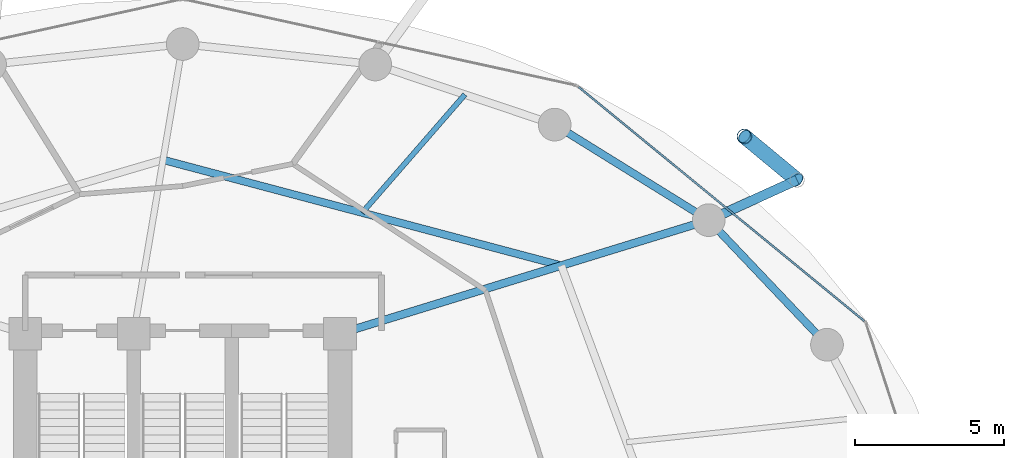
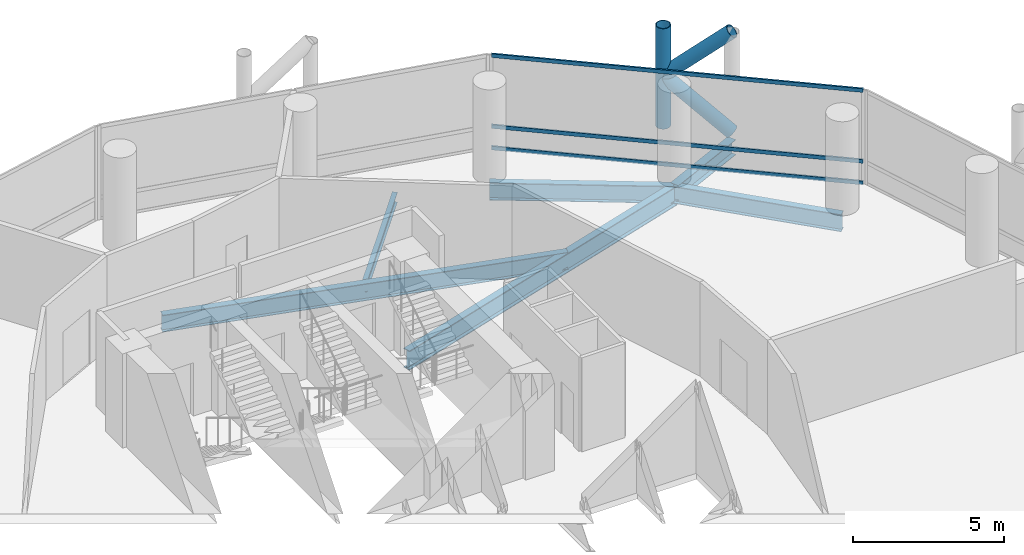
# One storey, part 17 of 24: 6 beams, 6 members, 1 element without a shape of its own.
"""IFC4 building model written with IfcOpenShell, lengths in metres."""

from ifc_helpers import new_model, si_unit, direction, frame, origin, origin_2d, place, context, subcontext, project, spatial, hollow_rectangle, hollow_circle, i_section, extrude, material, layer, layer_set, material_profile, profile_set, type_object, element, aggregate, save


model = new_model("IFC4")

# Units and contexts
model_context = context("Model", 3, precision=1e-05, world=origin(), true_north=direction((0.0, 1.0)))
body_context = subcontext(model_context, "Body", "Model", "MODEL_VIEW")
ifc_project = project(units=[si_unit("LENGTHUNIT", "METRE"), si_unit("AREAUNIT", "SQUARE_METRE"), si_unit("VOLUMEUNIT", "CUBIC_METRE"), si_unit("PLANEANGLEUNIT", "RADIAN"), si_unit("MASSUNIT", "GRAM", prefix="KILO")], contexts=[model_context])

# Site, building, storey
site_placement = place(None, origin())
site = spatial("IfcSite", under=ifc_project, at=site_placement, CompositionType="ELEMENT")
building_placement = place(site_placement, origin())
building = spatial("IfcBuilding", under=site, at=building_placement, Name="Nuhasar Tower", CompositionType="ELEMENT")
storey_placement = place(building_placement, frame((0.0, 0.0, 29.10009765625)))
storey = spatial("IfcBuildingStorey", under=building, at=storey_placement, Name="L06", CompositionType="ELEMENT", Elevation=29.10009765625)

# Beams
ifc_material_1 = material(Name="Steel S355", Category="steel")
ifc_material_profile_1 = material_profile(ifc_material_1, i_section(OverallWidth=0.25390625, OverallDepth=0.68408203125, WebThickness=0.012451171875, FlangeThickness=0.018798828125, at=origin_2d()), Name="W27X94")
ifc_profile_set_1 = profile_set([ifc_material_profile_1], Name="Steel S355")
beam_type_1 = type_object("IfcBeamType", Name="BM-INRING-W27X94", PredefinedType="BEAM", material=ifc_profile_set_1)
beam_1_placement = place(storey_placement, frame((51.748046875, 39.591064453125, -0.60205078125), z_axis=(-0.96653253005, 0.256544086574, 0.0), x_axis=(-0.256544086574, -0.96653253005, 0.0)))
element("IfcBeam", 1, at=beam_1_placement, inside=storey, type_object=beam_type_1, Name="L06 Inner Header Beam 05", PredefinedType="BEAM", context=body_context, shape_type="SweptSolid", body=[
    extrude(i_section(OverallWidth=0.25390625, OverallDepth=0.68408203125, WebThickness=0.012451171875, FlangeThickness=0.018798828125, at=origin_2d()), origin(), (0.0, 0.0, 1.0), 13.872314453125),
])
ifc_material_profile_2 = material_profile(ifc_material_1, i_section(OverallWidth=0.177978515625, OverallDepth=0.406005859375, WebThickness=0.0078125, FlangeThickness=0.0126953125, at=origin_2d()), Name="W16X40")
ifc_profile_set_2 = profile_set([ifc_material_profile_2], Name="Steel S355")
beam_type_2 = type_object("IfcBeamType", Name="BM-JST-W16X40", PredefinedType="JOIST", material=ifc_profile_set_2)
beam_2_placement = place(storey_placement, frame((45.0439453125, 41.3701171875, -0.463134765625), z_axis=(0.656174129694, 0.754609509296, 0.0), x_axis=(-0.754609509296, 0.656174129694, 0.0)))
element("IfcBeam", 2, at=beam_2_placement, inside=storey, type_object=beam_type_2, Name="L06 Secondary Floor Joist 05", PredefinedType="JOIST", context=body_context, shape_type="SweptSolid", body=[
    extrude(i_section(OverallWidth=0.177978515625, OverallDepth=0.406005859375, WebThickness=0.0078125, FlangeThickness=0.0126953125, at=origin_2d()), origin(), (0.0, 0.0, 1.0), 5.27294921875),
])
ifc_material_profile_3 = material_profile(ifc_material_1, i_section(OverallWidth=0.26611328125, OverallDepth=0.779052734375, WebThickness=0.0166015625, FlangeThickness=0.030029296875, at=origin_2d()), Name="W30X148")
ifc_profile_set_3 = profile_set([ifc_material_profile_3], Name="Steel S355")
beam_type_3 = type_object("IfcBeamType", Name="BM-RAD-W30X148", PredefinedType="BEAM", material=ifc_profile_set_3)
beam_3_placement = place(storey_placement, frame((44.300048828125, 37.300048828125, -0.650146484375), z_axis=(0.955789576103, 0.294051502653, 0.0), x_axis=(-0.294051502653, 0.955789576103, 0.0)))
element("IfcBeam", 3, at=beam_3_placement, inside=storey, type_object=beam_type_3, Name="L06 Radial Floor Girder 05", PredefinedType="BEAM", context=body_context, shape_type="SweptSolid", body=[
    extrude(i_section(OverallWidth=0.26611328125, OverallDepth=0.779052734375, WebThickness=0.0166015625, FlangeThickness=0.030029296875, at=origin_2d()), origin(), (0.0, 0.0, 1.0), 12.987060546875),
])
ifc_material_profile_4 = material_profile(ifc_material_1, i_section(OverallWidth=0.256103515625, OverallDepth=0.693115234375, WebThickness=0.014404296875, FlangeThickness=0.023681640625, at=origin_2d()), Name="W27X114")
ifc_profile_set_4 = profile_set([ifc_material_profile_4], Name="Steel S355")
beam_type_4 = type_object("IfcBeamType", Name="BM-RING-W27X114", PredefinedType="SPANDREL", material=ifc_profile_set_4)
beam_4_placement = place(storey_placement, frame((60.694091796875, 36.925048828125, -0.606201171875), z_axis=(-0.688480893507, 0.725254478976, 0.0), x_axis=(-0.725254478976, -0.688480893507, 0.0)))
element("IfcBeam", 4, at=beam_4_placement, inside=storey, type_object=beam_type_4, Name="L06 Perimeter Ring Spandrel 03", PredefinedType="SPANDREL", context=body_context, shape_type="SweptSolid", body=[
    extrude(i_section(OverallWidth=0.256103515625, OverallDepth=0.693115234375, WebThickness=0.014404296875, FlangeThickness=0.023681640625, at=origin_2d()), origin(), (0.0, 0.0, 1.0), 5.782470703125),
])
beam_5_placement = place(storey_placement, frame((56.712890625, 41.118896484375, -0.606201171875), z_axis=(-0.849795216549, 0.527112976439, 0.0), x_axis=(-0.527112976439, -0.849795216549, 0.0)))
element("IfcBeam", 5, at=beam_5_placement, inside=storey, type_object=beam_type_4, Name="L06 Perimeter Ring Spandrel 04", PredefinedType="SPANDREL", context=body_context, shape_type="SweptSolid", body=[
    extrude(i_section(OverallWidth=0.256103515625, OverallDepth=0.693115234375, WebThickness=0.014404296875, FlangeThickness=0.023681640625, at=origin_2d()), origin(), (0.0, 0.0, 1.0), 6.10498046875),
])
ifc_material_profile_5 = material_profile(ifc_material_1, i_section(OverallWidth=0.323974609375, OverallDepth=0.611083984375, WebThickness=0.0126953125, FlangeThickness=0.01904296875, at=origin_2d()), Name="W24X104")
ifc_profile_set_5 = profile_set([ifc_material_profile_5], Name="Steel S355")
beam_type_5 = type_object("IfcBeamType", Name="BM-TIE-W24X104", PredefinedType="BEAM", material=ifc_profile_set_5)
beam_6_placement = place(storey_placement, frame((56.712890625, 41.118896484375, -0.565185546875), z_axis=(0.910243528587, 0.414073325227, 0.0), x_axis=(-0.414073325227, 0.910243528587, 0.0)))
element("IfcBeam", 6, at=beam_6_placement, inside=storey, type_object=beam_type_5, Name="L06 Exoskeleton Node Tie Beam 02", PredefinedType="BEAM", context=body_context, shape_type="SweptSolid", body=[
    extrude(i_section(OverallWidth=0.323974609375, OverallDepth=0.611083984375, WebThickness=0.0126953125, FlangeThickness=0.01904296875, at=origin_2d()), origin(), (0.0, 0.0, 1.0), 3.26513671875),
])

# Curtain wall, members
ifc_material_2 = material(Name="Aluminium 6063-T6", Category="aluminium")
ifc_layer = layer(ifc_material_2, 0.199951171875)
ifc_layer_set = layer_set([ifc_layer], Name="Aluminium 6063-T6")
curtain_wall_type = type_object("IfcCurtainWallType", Name="CW-Z1-OFF", PredefinedType="NOTDEFINED", material=ifc_layer_set)
curtain_wall_placement = place(storey_placement, origin())
curtain_wall = element("IfcCurtainWall", 7, at=curtain_wall_placement, inside=storey, type_object=curtain_wall_type, Name="L06 Unitised Curtain Wall 02", PredefinedType="NOTDEFINED")
ifc_material_profile_6 = material_profile(ifc_material_2, hollow_rectangle(XDim=0.06494140625, YDim=0.14990234375, WallThickness=0.00439453125, at=origin_2d()), Name="CWT-2")
ifc_profile_set_6 = profile_set([ifc_material_profile_6], Name="Aluminium 6063-T6")
member_type_1 = type_object("IfcMemberType", Name="CW-TRN-S2", PredefinedType="USERDEFINED", material=ifc_profile_set_6)
member_1_placement = place(storey_placement, frame((61.95166015625, 37.72119140625, 0.032470703125), z_axis=(-0.773540851599, 0.633746440548, 0.0), x_axis=(-0.633746440548, -0.773540851599, 0.0)))
member_1 = element("IfcMember", 8, at=member_1_placement, type_object=member_type_1, Name="CW-Z1 transom 1.1", ObjectType="TRANSOM", PredefinedType="USERDEFINED", context=body_context, shape_type="SweptSolid", body=[
    extrude(hollow_rectangle(XDim=0.06494140625, YDim=0.14990234375, WallThickness=0.00439453125, at=origin_2d()), origin(), (0.0, 0.0, 1.0), 12.43798828125),
])
member_2_placement = place(storey_placement, frame((61.95166015625, 37.72119140625, 0.89990234375), z_axis=(-0.773540851599, 0.633746440548, 0.0), x_axis=(-0.633746440548, -0.773540851599, 0.0)))
member_2 = element("IfcMember", 9, at=member_2_placement, type_object=member_type_1, Name="CW-Z1 transom 1.2", ObjectType="TRANSOM", PredefinedType="USERDEFINED", context=body_context, shape_type="SweptSolid", body=[
    extrude(hollow_rectangle(XDim=0.06494140625, YDim=0.14990234375, WallThickness=0.00439453125, at=origin_2d()), origin(), (0.0, 0.0, 1.0), 12.43798828125),
])
member_3_placement = place(storey_placement, frame((61.95166015625, 37.72119140625, 3.75732421875), z_axis=(-0.773540851599, 0.633746440548, 0.0), x_axis=(-0.633746440548, -0.773540851599, 0.0)))
member_3 = element("IfcMember", 10, at=member_3_placement, type_object=member_type_1, Name="CW-Z1 transom 1.3", ObjectType="TRANSOM", PredefinedType="USERDEFINED", context=body_context, shape_type="SweptSolid", body=[
    extrude(hollow_rectangle(XDim=0.06494140625, YDim=0.14990234375, WallThickness=0.00439453125, at=origin_2d()), origin(), (0.0, 0.0, 1.0), 12.43798828125),
])
aggregate(curtain_wall, [member_1, member_2, member_3])

# Members
ifc_material_3 = material(Name="Steel S460", Category="steel")
ifc_material_profile_7 = material_profile(ifc_material_3, hollow_circle(Radius=0.25390625, WallThickness=0.025390625, at=origin_2d()), Name="HSS508X25.4")
ifc_profile_set_7 = profile_set([ifc_material_profile_7], Name="Steel S460")
member_type_2 = type_object("IfcMemberType", Name="EXO-BRONZE-508", PredefinedType="BRACE", material=ifc_profile_set_7)
member_4_placement = place(storey_placement, frame((57.9130859375, 43.93896484375, 0.0), z_axis=(0.0, 0.0, 1.0), x_axis=(1.0, 0.0, 0.0)))
element("IfcMember", 11, at=member_4_placement, inside=storey, type_object=member_type_2, Name="L06 Exoskeleton Chord Column EC-02B", PredefinedType="BRACE", context=body_context, shape_type="SweptSolid", body=[
    extrude(hollow_circle(Radius=0.25390625, WallThickness=0.025390625, at=origin_2d()), origin(), (0.0, 0.0, 1.0), 4.0498046875),
])
for number, where, z_axis, x_axis, name in (
    (12, (59.68505859375, 42.470947265625, 0.0), (-0.578101613167, 0.478937034992, 0.660619286251), (-0.637969333506, -0.770061769929, 0.0), "L06 Bronze Diagrid Brace W1-02"),
    (13, (57.9130859375, 43.93896484375, 2.02490234375), (0.578101613167, -0.478937034992, 0.660619286251), (0.637969333506, 0.770061769929, 0.0), "L06 Bronze Diagrid Brace W2-02"),
):
    element("IfcMember", number, at=place(storey_placement, frame(where, z_axis=z_axis, x_axis=x_axis)), inside=storey, type_object=member_type_2, Name=name, PredefinedType="BRACE", context=body_context, shape_type="SweptSolid", body=[
        extrude(hollow_circle(Radius=0.25390625, WallThickness=0.025390625, at=origin_2d()), origin(), (0.0, 0.0, 1.0), 3.065185546875),
    ])

save(model, "model.ifc")
